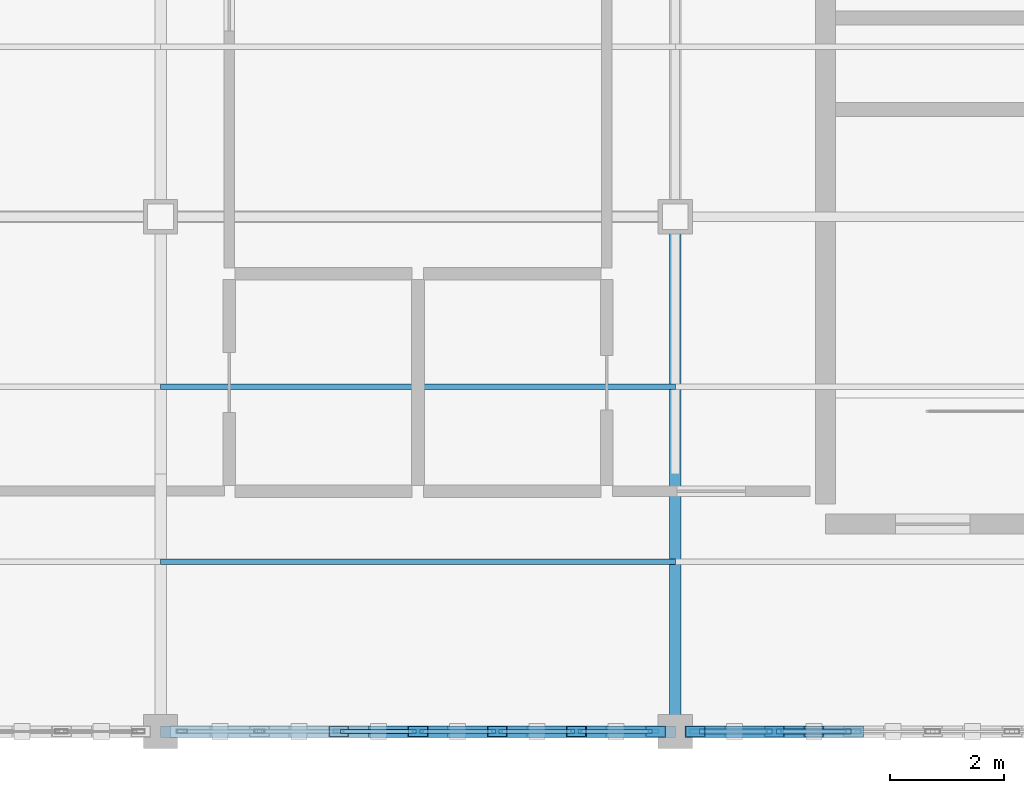
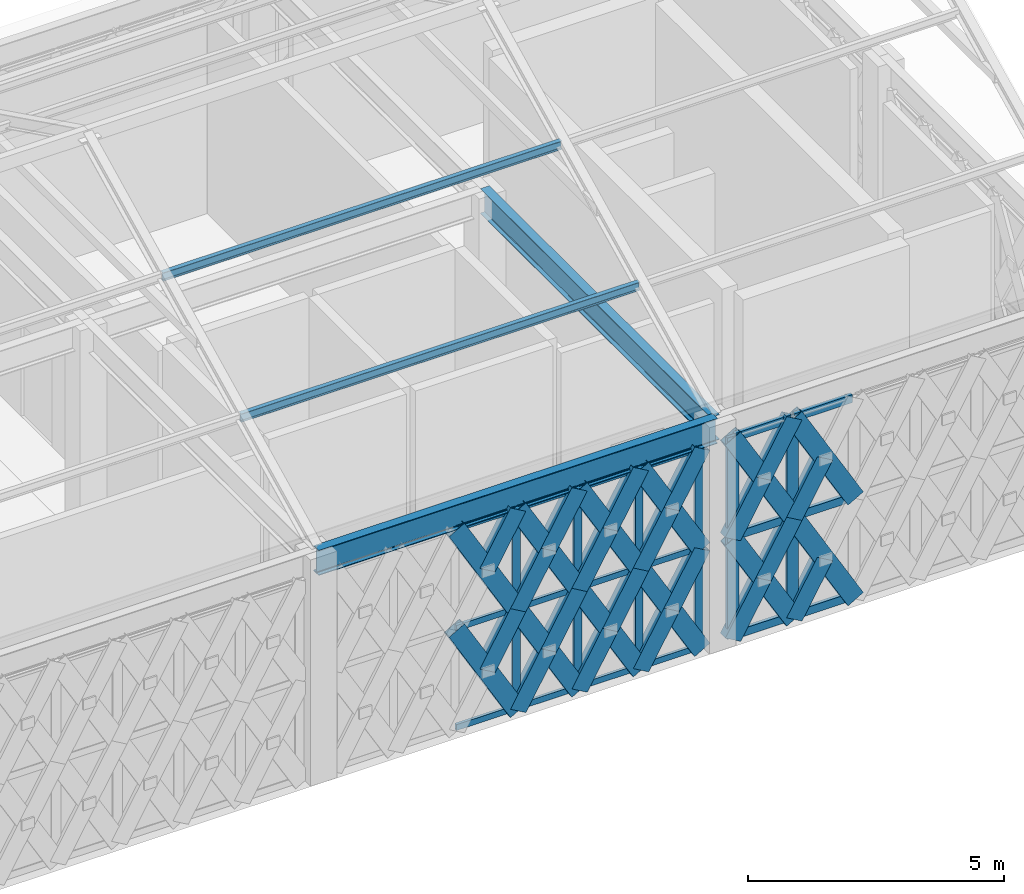
# One storey, part 13 of 32: 58 members, 2 beams, 2 elements without a shape of their own.
"""IFC4 building model written with IfcOpenShell, lengths in metres."""

import ifcopenshell
import ifcopenshell.guid

model = None  # the IFC model being written
_history = None  # IfcOwnerHistory: only IFC2X3 demands one
_inside = {}  # id of a spatial element -> (the spatial element, [elements in it])
_under = {}  # id of a project, library or spatial element -> (it, [spatial elements below it])
_declared = {}  # id of a project -> (the project, [libraries it declares])
_typed = {}  # id of a type object -> (the type object, [elements of that type])
_made_of = {}  # id of a material, layer set ... -> (it, [elements and type objects made of it])


def new_model(schema):
    """Start an empty IFC model of exactly this schema.

    Asked for "IFC4X3", IfcOpenShell would pick the latest addendum, in which some entities
    have other attributes; the version numbers below select the first issue.
    IFC2X3 requires an IfcOwnerHistory on every rooted entity: one is made here for all.
    """
    global model, _history
    if schema == "IFC4X3":
        model = ifcopenshell.file(schema_version=(4, 3, 0, 0))
    else:
        model = ifcopenshell.file(schema=schema)
    _inside.clear()
    _under.clear()
    _declared.clear()
    _typed.clear()
    _made_of.clear()
    _history = None
    if model.schema == "IFC2X3":
        org = make("IfcOrganization", Name="unknown")
        user = make(
            "IfcPersonAndOrganization",
            ThePerson=make("IfcPerson", FamilyName="unknown"),
            TheOrganization=org,
        )
        app = make(
            "IfcApplication",
            ApplicationDeveloper=org,
            Version="unknown",
            ApplicationFullName="unknown",
            ApplicationIdentifier="unknown",
        )
        _history = make(
            "IfcOwnerHistory",
            OwningUser=user,
            OwningApplication=app,
            ChangeAction="ADDED",
            CreationDate=0,
        )
    return model


def make(cls, **values):
    """One entity of the class cls with the attributes given. An attribute that is None is left unset."""
    return model.create_entity(
        cls, **{name: value for name, value in values.items() if value is not None}
    )


def rooted(cls, **values):
    """An entity with a GlobalId (a new one), such as an element, a storey or a relation."""
    return make(cls, GlobalId=ifcopenshell.guid.new(), OwnerHistory=_history, **values)


def si_unit(unit_type, name, prefix=None):
    """IfcSIUnit, for example si_unit("LENGTHUNIT", "METRE", prefix="MILLI")."""
    return make("IfcSIUnit", UnitType=unit_type, Prefix=prefix, Name=name)


def assignment(units):
    """IfcUnitAssignment: the units of a project."""
    return None if units is None else make("IfcUnitAssignment", Units=units)


def point(xyz):
    """IfcCartesianPoint."""
    return None if xyz is None else make("IfcCartesianPoint", Coordinates=xyz)


def direction(xyz):
    """IfcDirection."""
    return None if xyz is None else make("IfcDirection", DirectionRatios=xyz)


def frame(location, z_axis=None, x_axis=None):
    """IfcAxis2Placement3D, a coordinate frame: its origin and axes. An axis left out is left unset."""
    return make(
        "IfcAxis2Placement3D",
        Location=point(location),
        Axis=direction(z_axis),
        RefDirection=direction(x_axis),
    )


def frame_2d(location, x_axis=None):
    """IfcAxis2Placement2D, a coordinate frame in the plane: its origin and x axis."""
    return make(
        "IfcAxis2Placement2D", Location=point(location), RefDirection=direction(x_axis)
    )


def origin():
    """The frame at (0, 0, 0) with its axes left unset."""
    return frame((0.0, 0.0, 0.0))


def origin_2d():
    """The frame at (0, 0) in the plane with its x axis left unset."""
    return frame_2d((0.0, 0.0))


def place(relative_to, where):
    """IfcLocalPlacement: puts the frame where relative to a parent placement (None: the world)."""
    return make(
        "IfcLocalPlacement", PlacementRelTo=relative_to, RelativePlacement=where
    )


def context(
    kind, dimensions, precision=None, world=None, true_north=None, identifier=None
):
    """IfcGeometricRepresentationContext, for example the 3D "Model" context."""
    return make(
        "IfcGeometricRepresentationContext",
        ContextIdentifier=identifier,
        ContextType=kind,
        CoordinateSpaceDimension=dimensions,
        Precision=precision,
        WorldCoordinateSystem=world,
        TrueNorth=true_north,
    )


def subcontext(parent, identifier, kind, view, scale=None):
    """IfcGeometricRepresentationSubContext, for example "Body" below "Model"."""
    return make(
        "IfcGeometricRepresentationSubContext",
        ContextIdentifier=identifier,
        ContextType=kind,
        ParentContext=parent,
        TargetScale=scale,
        TargetView=view,
    )


def project(units=None, contexts=None):
    """IfcProject with its units and contexts."""
    return rooted(
        "IfcProject",
        Name="project",
        RepresentationContexts=contexts,
        UnitsInContext=assignment(units),
    )


def spatial(cls, under=None, at=None, **own):
    """A site, building, storey or space (cls), placed at a placement, below another one or the project."""
    s = rooted(cls, ObjectPlacement=at, **own)
    if under is not None:
        _under.setdefault(under.id(), (under, []))[1].append(s)
    return s


def profile(cls, at=None, kind="AREA", **sizes):
    """A parametric profile (cls). Its sizes go by their IFC names, for example OverallWidth=200.0."""
    return make(cls, ProfileType=kind, Position=at, **sizes)


def hollow_rectangle(**sizes):
    """IfcRectangleHollowProfileDef."""
    return profile("IfcRectangleHollowProfileDef", **sizes)


def i_section(**sizes):
    """IfcIShapeProfileDef."""
    return profile("IfcIShapeProfileDef", **sizes)


def extrude(swept, where, along, depth):
    """IfcExtrudedAreaSolid: the profile swept, set in the frame where, extruded along a direction by depth."""
    return make(
        "IfcExtrudedAreaSolid",
        SweptArea=swept,
        Position=where,
        ExtrudedDirection=direction(along),
        Depth=depth,
    )


def shape(context_of_items, identifier, shape_type, items):
    """IfcShapeRepresentation: the items that make up one representation, for example the "Body"."""
    return make(
        "IfcShapeRepresentation",
        ContextOfItems=context_of_items,
        RepresentationIdentifier=identifier,
        RepresentationType=shape_type,
        Items=items,
    )


def material(Name=None, Category=None):
    """IfcMaterial."""
    return make("IfcMaterial", Name=Name, Category=Category)


def material_profile(
    of_material, cross_section, Name=None, Category=None, Priority=None
):
    """IfcMaterialProfile: a cross section and its material."""
    return make(
        "IfcMaterialProfile",
        Name=Name,
        Material=of_material,
        Profile=cross_section,
        Priority=Priority,
        Category=Category,
    )


def profile_set(profiles, Name=None, composite=None):
    """IfcMaterialProfileSet."""
    return make(
        "IfcMaterialProfileSet",
        Name=Name,
        MaterialProfiles=profiles,
        CompositeProfile=composite,
    )


def made_of(thing, what):
    """Note that an element or type object is made of a material, layer set ...; save() writes the relation."""
    if what is not None:
        _made_of.setdefault(what.id(), (what, []))[1].append(thing)
    return thing


def type_object(cls, material=None, **own):
    """A type object (cls), such as IfcWallType, which elements share."""
    return made_of(rooted(cls, **own), material)


def element(
    cls,
    number,
    at=None,
    inside=None,
    cuts=None,
    type_object=None,
    material=None,
    context=None,
    identifier="Body",
    shape_type=None,
    held_by="IfcProductDefinitionShape",
    body=None,
    shapes=None,
    **own,
):
    """One element of the class cls, such as IfcWall. Its Tag is "e" and its number.

    at: its placement. inside: the storey or other place that contains it. cuts: it is an
    opening in that element (IfcRelVoidsElement). A single representation is given by context,
    identifier, shape_type and body (its items); several are given by shapes. held_by: the class
    of the entity that holds the representations. save() writes the other relations.
    """
    e = rooted(cls, Tag="e%d" % number, ObjectPlacement=at, **own)
    if body is not None:
        shapes = [shape(context, identifier, shape_type, body)]
    if shapes is not None:
        e.Representation = make(held_by, Representations=shapes)
    if inside is not None:
        _inside.setdefault(inside.id(), (inside, []))[1].append(e)
    if cuts is not None:
        rooted(
            "IfcRelVoidsElement", RelatingBuildingElement=cuts, RelatedOpeningElement=e
        )
    if type_object is not None:
        _typed.setdefault(type_object.id(), (type_object, []))[1].append(e)
    return made_of(e, material)


def aggregate(whole, parts):
    """IfcRelAggregates: a whole, such as a stair, and the parts it consists of."""
    return rooted("IfcRelAggregates", RelatingObject=whole, RelatedObjects=parts)


def save(model, path):
    """Write the relations noted so far, then the file.

    IfcRelAggregates (storeys below a building ...), IfcRelContainedInSpatialStructure (elements
    in a storey), IfcRelDefinesByType, IfcRelAssociatesMaterial and IfcRelDeclares: one each for
    every whole, place, type object, material and project.
    """
    for whole, parts in _under.values():
        aggregate(whole, parts)
    for where, things in _inside.values():
        rooted(
            "IfcRelContainedInSpatialStructure",
            RelatedElements=things,
            RelatingStructure=where,
        )
    for kind, things in _typed.values():
        rooted("IfcRelDefinesByType", RelatedObjects=things, RelatingType=kind)
    for what, things in _made_of.values():
        rooted("IfcRelAssociatesMaterial", RelatedObjects=things, RelatingMaterial=what)
    for by, libraries in _declared.values():
        rooted("IfcRelDeclares", RelatingContext=by, RelatedDefinitions=libraries)
    model.write(path)


model = new_model("IFC4")

# Units and contexts
model_context = context("Model", 3, precision=1e-05, world=origin(), true_north=direction((0.0, 1.0)))
body_context = subcontext(model_context, "Body", "Model", "MODEL_VIEW")
ifc_project = project(units=[si_unit("LENGTHUNIT", "METRE"), si_unit("AREAUNIT", "SQUARE_METRE"), si_unit("VOLUMEUNIT", "CUBIC_METRE"), si_unit("PLANEANGLEUNIT", "RADIAN"), si_unit("MASSUNIT", "GRAM", prefix="KILO")], contexts=[model_context])

# Site, building, storey
site_placement = place(None, origin())
site = spatial("IfcSite", under=ifc_project, at=site_placement, CompositionType="ELEMENT")
building_placement = place(site_placement, origin())
building = spatial("IfcBuilding", under=site, at=building_placement, Name="Haizhuo Lancet Aquarium", CompositionType="ELEMENT")
storey_placement = place(building_placement, frame((0.0, 0.0, 27.0)))
storey = spatial("IfcBuildingStorey", under=building, at=storey_placement, Name="L05", CompositionType="ELEMENT", Elevation=27.0)

# Beams
ifc_material_1 = material(Name="Steel S355", Category="steel")
ifc_material_profile_1 = material_profile(ifc_material_1, i_section(OverallWidth=0.199951171875, OverallDepth=0.60009765625, WebThickness=0.010986328125, FlangeThickness=0.01708984375, FilletRadius=0.02197265625, at=origin_2d()), Name="HN 600x200x11x17")
ifc_profile_set_1 = profile_set([ifc_material_profile_1], Name="Steel S355")
beam_type = type_object("IfcBeamType", Name="BM-ST-HN600", PredefinedType="BEAM", material=ifc_profile_set_1)
for number, where, z_axis, x_axis, name in (
    (1, (-54.0, -27.0, 5.10009765625), (1.0, 0.0, 0.0), (0.0, 1.0, 0.0), "L05 V6 primary girder BM-L05-V6-015"),
    (2, (-45.0, -27.0, 5.10009765625), (0.0, 1.0, 0.0), (-1.0, 0.0, 0.0), "L05 V6 primary girder BM-L05-V6-019"),
):
    element("IfcBeam", number, at=place(storey_placement, frame(where, z_axis=z_axis, x_axis=x_axis)), inside=storey, type_object=beam_type, Name=name, PredefinedType="BEAM", context=body_context, shape_type="SweptSolid", body=[
        extrude(i_section(OverallWidth=0.199951171875, OverallDepth=0.60009765625, WebThickness=0.010986328125, FlangeThickness=0.01708984375, FilletRadius=0.02197265625, at=origin_2d()), origin(), (0.0, 0.0, 1.0), 9.0),
    ])

# Curtain wall, members
ifc_material_2 = material(Name="Aluminium 6063-T6", Category="aluminium")
curtain_wall_type = type_object("IfcCurtainWallType", Name="CWD-8310x4800", PredefinedType="NOTDEFINED", material=ifc_material_2)
curtain_wall_1_placement = place(storey_placement, origin())
curtain_wall_1 = element("IfcCurtainWall", 3, at=curtain_wall_1_placement, inside=storey, type_object=curtain_wall_type, Name="L05 curtain wall CW-V6-L05-268", PredefinedType="NOTDEFINED")
ifc_material_profile_2 = material_profile(ifc_material_2, hollow_rectangle(XDim=0.06494140625, YDim=0.179931640625, WallThickness=0.00390625, at=origin_2d()), Name="ALU-M 65x180x4")
ifc_profile_set_2 = profile_set([ifc_material_profile_2], Name="Aluminium 6063-T6")
member_type_1 = type_object("IfcMemberType", Name="CW-MUL-1", PredefinedType="MULLION", material=ifc_profile_set_2)
member_1_placement = place(storey_placement, frame((-45.376953125, -27.0, 0.0), z_axis=(0.0, 0.0, 1.0), x_axis=(0.0, -1.0, 0.0)))
member_1 = element("IfcMember", 4, at=member_1_placement, type_object=member_type_1, Name="CWD-83x48 mullion 1", PredefinedType="MULLION", context=body_context, shape_type="SweptSolid", body=[
    extrude(hollow_rectangle(XDim=0.06494140625, YDim=0.179931640625, WallThickness=0.00390625, at=origin_2d()), origin(), (0.0, 0.0, 1.0), 4.800048828125),
])
member_2_placement = place(storey_placement, frame((-46.72998046875, -27.0, 0.0), z_axis=(0.0, 0.0, 1.0), x_axis=(0.0, -1.0, 0.0)))
member_2 = element("IfcMember", 5, at=member_2_placement, type_object=member_type_1, Name="CWD-83x48 mullion 2", PredefinedType="MULLION", context=body_context, shape_type="SweptSolid", body=[
    extrude(hollow_rectangle(XDim=0.06494140625, YDim=0.179931640625, WallThickness=0.00390625, at=origin_2d()), origin(), (0.0, 0.0, 1.0), 4.800048828125),
])
member_3_placement = place(storey_placement, frame((-48.114990234375, -27.0, 0.0), z_axis=(0.0, 0.0, 1.0), x_axis=(0.0, -1.0, 0.0)))
member_3 = element("IfcMember", 6, at=member_3_placement, type_object=member_type_1, Name="CWD-83x48 mullion 3", PredefinedType="MULLION", context=body_context, shape_type="SweptSolid", body=[
    extrude(hollow_rectangle(XDim=0.06494140625, YDim=0.179931640625, WallThickness=0.00390625, at=origin_2d()), origin(), (0.0, 0.0, 1.0), 4.800048828125),
])
member_4_placement = place(storey_placement, frame((-49.5, -27.0, 0.0), z_axis=(0.0, 0.0, 1.0), x_axis=(0.0, -1.0, 0.0)))
member_4 = element("IfcMember", 7, at=member_4_placement, type_object=member_type_1, Name="CWD-83x48 mullion 4", PredefinedType="MULLION", context=body_context, shape_type="SweptSolid", body=[
    extrude(hollow_rectangle(XDim=0.06494140625, YDim=0.179931640625, WallThickness=0.00390625, at=origin_2d()), origin(), (0.0, 0.0, 1.0), 4.800048828125),
])

curtain_wall_2_placement = place(storey_placement, origin())
curtain_wall_2 = element("IfcCurtainWall", 8, at=curtain_wall_2_placement, inside=storey, type_object=curtain_wall_type, Name="L05 curtain wall CW-V6-L05-267", PredefinedType="NOTDEFINED")
ifc_material_profile_3 = material_profile(ifc_material_2, hollow_rectangle(XDim=0.080078125, YDim=0.260009765625, WallThickness=0.0048828125, at=origin_2d()), Name="ALU-M 80x260x5")
ifc_profile_set_3 = profile_set([ifc_material_profile_3], Name="Aluminium 6063-T6")
member_type_2 = type_object("IfcMemberType", Name="CW-MUL-3", PredefinedType="MULLION", material=ifc_profile_set_3)
member_5_placement = place(storey_placement, frame((-43.27001953125, -27.0, 0.0), z_axis=(0.0, 0.0, 1.0), x_axis=(0.0, -1.0, 0.0)))
member_5 = element("IfcMember", 9, at=member_5_placement, type_object=member_type_2, Name="CWD-83x48 mullion 6", PredefinedType="MULLION", context=body_context, shape_type="SweptSolid", body=[
    extrude(hollow_rectangle(XDim=0.080078125, YDim=0.260009765625, WallThickness=0.0048828125, at=origin_2d()), origin(), (0.0, 0.0, 1.0), 4.800048828125),
])
member_6_placement = place(storey_placement, frame((-44.614990234375, -27.0, 0.0), z_axis=(0.0, 0.0, 1.0), x_axis=(0.0, -1.0, 0.0)))
member_6 = element("IfcMember", 10, at=member_6_placement, type_object=member_type_2, Name="CWD-83x48 mullion 7", PredefinedType="MULLION", context=body_context, shape_type="SweptSolid", body=[
    extrude(hollow_rectangle(XDim=0.080078125, YDim=0.260009765625, WallThickness=0.0048828125, at=origin_2d()), origin(), (0.0, 0.0, 1.0), 4.800048828125),
])

# Member
ifc_material_profile_4 = material_profile(ifc_material_2, hollow_rectangle(XDim=0.06494140625, YDim=0.139892578125, WallThickness=0.00390625, at=origin_2d()), Name="ALU-T 65x140x4")
ifc_profile_set_4 = profile_set([ifc_material_profile_4], Name="Aluminium 6063-T6")
member_type_3 = type_object("IfcMemberType", Name="CW-TRN-1", PredefinedType="NOTDEFINED", material=ifc_profile_set_4)
member_7_placement = place(storey_placement, frame((-45.409912109375, -27.0, 0.031982421875), z_axis=(-1.0, 0.0, 0.0), x_axis=(0.0, -1.0, 0.0)))
member_7 = element("IfcMember", 11, at=member_7_placement, type_object=member_type_3, Name="CWD-83x48 transom 1.1", ObjectType="TRANSOM", PredefinedType="USERDEFINED", context=body_context, shape_type="SweptSolid", body=[
    extrude(hollow_rectangle(XDim=0.06494140625, YDim=0.139892578125, WallThickness=0.00390625, at=origin_2d()), origin(), (0.0, 0.0, 1.0), 1.287109375),
])

member_8_placement = place(storey_placement, frame((-45.409912109375, -27.0, 2.39990234375), z_axis=(-1.0, 0.0, 0.0), x_axis=(0.0, -1.0, 0.0)))
member_8 = element("IfcMember", 12, at=member_8_placement, type_object=member_type_3, Name="CWD-83x48 transom 1.2", ObjectType="TRANSOM", PredefinedType="USERDEFINED", context=body_context, shape_type="SweptSolid", body=[
    extrude(hollow_rectangle(XDim=0.06494140625, YDim=0.139892578125, WallThickness=0.00390625, at=origin_2d()), origin(), (0.0, 0.0, 1.0), 1.287109375),
])

member_9_placement = place(storey_placement, frame((-45.409912109375, -27.0, 4.76806640625), z_axis=(-1.0, 0.0, 0.0), x_axis=(0.0, -1.0, 0.0)))
member_9 = element("IfcMember", 13, at=member_9_placement, type_object=member_type_3, Name="CWD-83x48 transom 1.3", ObjectType="TRANSOM", PredefinedType="USERDEFINED", context=body_context, shape_type="SweptSolid", body=[
    extrude(hollow_rectangle(XDim=0.06494140625, YDim=0.139892578125, WallThickness=0.00390625, at=origin_2d()), origin(), (0.0, 0.0, 1.0), 1.287109375),
])

member_10_placement = place(storey_placement, frame((-46.762939453125, -27.0, 0.031982421875), z_axis=(-1.0, 0.0, 0.0), x_axis=(0.0, -1.0, 0.0)))
member_10 = element("IfcMember", 14, at=member_10_placement, type_object=member_type_3, Name="CWD-83x48 transom 2.1", ObjectType="TRANSOM", PredefinedType="USERDEFINED", context=body_context, shape_type="SweptSolid", body=[
    extrude(hollow_rectangle(XDim=0.06494140625, YDim=0.139892578125, WallThickness=0.00390625, at=origin_2d()), origin(), (0.0, 0.0, 1.0), 1.319091796875),
])

member_11_placement = place(storey_placement, frame((-46.762939453125, -27.0, 2.39990234375), z_axis=(-1.0, 0.0, 0.0), x_axis=(0.0, -1.0, 0.0)))
member_11 = element("IfcMember", 15, at=member_11_placement, type_object=member_type_3, Name="CWD-83x48 transom 2.2", ObjectType="TRANSOM", PredefinedType="USERDEFINED", context=body_context, shape_type="SweptSolid", body=[
    extrude(hollow_rectangle(XDim=0.06494140625, YDim=0.139892578125, WallThickness=0.00390625, at=origin_2d()), origin(), (0.0, 0.0, 1.0), 1.319091796875),
])

member_12_placement = place(storey_placement, frame((-46.762939453125, -27.0, 4.76806640625), z_axis=(-1.0, 0.0, 0.0), x_axis=(0.0, -1.0, 0.0)))
member_12 = element("IfcMember", 16, at=member_12_placement, type_object=member_type_3, Name="CWD-83x48 transom 2.3", ObjectType="TRANSOM", PredefinedType="USERDEFINED", context=body_context, shape_type="SweptSolid", body=[
    extrude(hollow_rectangle(XDim=0.06494140625, YDim=0.139892578125, WallThickness=0.00390625, at=origin_2d()), origin(), (0.0, 0.0, 1.0), 1.319091796875),
])

member_13_placement = place(storey_placement, frame((-48.14794921875, -27.0, 0.031982421875), z_axis=(-1.0, 0.0, 0.0), x_axis=(0.0, -1.0, 0.0)))
member_13 = element("IfcMember", 17, at=member_13_placement, type_object=member_type_3, Name="CWD-83x48 transom 3.1", ObjectType="TRANSOM", PredefinedType="USERDEFINED", context=body_context, shape_type="SweptSolid", body=[
    extrude(hollow_rectangle(XDim=0.06494140625, YDim=0.139892578125, WallThickness=0.00390625, at=origin_2d()), origin(), (0.0, 0.0, 1.0), 1.320068359375),
])

member_14_placement = place(storey_placement, frame((-48.14794921875, -27.0, 2.39990234375), z_axis=(-1.0, 0.0, 0.0), x_axis=(0.0, -1.0, 0.0)))
member_14 = element("IfcMember", 18, at=member_14_placement, type_object=member_type_3, Name="CWD-83x48 transom 3.2", ObjectType="TRANSOM", PredefinedType="USERDEFINED", context=body_context, shape_type="SweptSolid", body=[
    extrude(hollow_rectangle(XDim=0.06494140625, YDim=0.139892578125, WallThickness=0.00390625, at=origin_2d()), origin(), (0.0, 0.0, 1.0), 1.320068359375),
])

member_15_placement = place(storey_placement, frame((-48.14794921875, -27.0, 4.76806640625), z_axis=(-1.0, 0.0, 0.0), x_axis=(0.0, -1.0, 0.0)))
member_15 = element("IfcMember", 19, at=member_15_placement, type_object=member_type_3, Name="CWD-83x48 transom 3.3", ObjectType="TRANSOM", PredefinedType="USERDEFINED", context=body_context, shape_type="SweptSolid", body=[
    extrude(hollow_rectangle(XDim=0.06494140625, YDim=0.139892578125, WallThickness=0.00390625, at=origin_2d()), origin(), (0.0, 0.0, 1.0), 1.320068359375),
])

member_16_placement = place(storey_placement, frame((-49.531982421875, -27.0, 0.031982421875), z_axis=(-1.0, 0.0, 0.0), x_axis=(0.0, -1.0, 0.0)))
member_16 = element("IfcMember", 20, at=member_16_placement, type_object=member_type_3, Name="CWD-83x48 transom 4.1", ObjectType="TRANSOM", PredefinedType="USERDEFINED", context=body_context, shape_type="SweptSolid", body=[
    extrude(hollow_rectangle(XDim=0.06494140625, YDim=0.139892578125, WallThickness=0.00390625, at=origin_2d()), origin(), (0.0, 0.0, 1.0), 1.320068359375),
])

member_17_placement = place(storey_placement, frame((-49.531982421875, -27.0, 2.39990234375), z_axis=(-1.0, 0.0, 0.0), x_axis=(0.0, -1.0, 0.0)))
member_17 = element("IfcMember", 21, at=member_17_placement, type_object=member_type_3, Name="CWD-83x48 transom 4.2", ObjectType="TRANSOM", PredefinedType="USERDEFINED", context=body_context, shape_type="SweptSolid", body=[
    extrude(hollow_rectangle(XDim=0.06494140625, YDim=0.139892578125, WallThickness=0.00390625, at=origin_2d()), origin(), (0.0, 0.0, 1.0), 1.320068359375),
])

member_18_placement = place(storey_placement, frame((-49.531982421875, -27.0, 4.76806640625), z_axis=(-1.0, 0.0, 0.0), x_axis=(0.0, -1.0, 0.0)))
member_18 = element("IfcMember", 22, at=member_18_placement, type_object=member_type_3, Name="CWD-83x48 transom 4.3", ObjectType="TRANSOM", PredefinedType="USERDEFINED", context=body_context, shape_type="SweptSolid", body=[
    extrude(hollow_rectangle(XDim=0.06494140625, YDim=0.139892578125, WallThickness=0.00390625, at=origin_2d()), origin(), (0.0, 0.0, 1.0), 1.320068359375),
])

aggregate(curtain_wall_1, [member_1, member_2, member_3, member_4, member_7, member_8, member_9, member_10, member_11, member_12, member_13, member_14, member_15, member_16, member_17, member_18])

ifc_material_profile_5 = material_profile(ifc_material_2, hollow_rectangle(XDim=0.080078125, YDim=0.18994140625, WallThickness=0.0048828125, at=origin_2d()), Name="ALU-T 80x190x5")
ifc_profile_set_5 = profile_set([ifc_material_profile_5], Name="Aluminium 6063-T6")
member_type_4 = type_object("IfcMemberType", Name="CW-TRN-3", PredefinedType="NOTDEFINED", material=ifc_profile_set_5)
member_19_placement = place(storey_placement, frame((-41.925048828125, -27.0, 0.0400390625), z_axis=(-1.0, 0.0, 0.0), x_axis=(0.0, -1.0, 0.0)))
member_19 = element("IfcMember", 23, at=member_19_placement, type_object=member_type_4, Name="CWD-83x48 transom 5.1", ObjectType="TRANSOM", PredefinedType="USERDEFINED", context=body_context, shape_type="SweptSolid", body=[
    extrude(hollow_rectangle(XDim=0.080078125, YDim=0.18994140625, WallThickness=0.0048828125, at=origin_2d()), origin(), (0.0, 0.0, 1.0), 1.304931640625),
])

member_20_placement = place(storey_placement, frame((-41.925048828125, -27.0, 2.39990234375), z_axis=(-1.0, 0.0, 0.0), x_axis=(0.0, -1.0, 0.0)))
member_20 = element("IfcMember", 24, at=member_20_placement, type_object=member_type_4, Name="CWD-83x48 transom 5.2", ObjectType="TRANSOM", PredefinedType="USERDEFINED", context=body_context, shape_type="SweptSolid", body=[
    extrude(hollow_rectangle(XDim=0.080078125, YDim=0.18994140625, WallThickness=0.0048828125, at=origin_2d()), origin(), (0.0, 0.0, 1.0), 1.304931640625),
])

member_21_placement = place(storey_placement, frame((-41.925048828125, -27.0, 4.760009765625), z_axis=(-1.0, 0.0, 0.0), x_axis=(0.0, -1.0, 0.0)))
member_21 = element("IfcMember", 25, at=member_21_placement, type_object=member_type_4, Name="CWD-83x48 transom 5.3", ObjectType="TRANSOM", PredefinedType="USERDEFINED", context=body_context, shape_type="SweptSolid", body=[
    extrude(hollow_rectangle(XDim=0.080078125, YDim=0.18994140625, WallThickness=0.0048828125, at=origin_2d()), origin(), (0.0, 0.0, 1.0), 1.304931640625),
])

member_22_placement = place(storey_placement, frame((-43.31005859375, -27.0, 0.0400390625), z_axis=(-1.0, 0.0, 0.0), x_axis=(0.0, -1.0, 0.0)))
member_22 = element("IfcMember", 26, at=member_22_placement, type_object=member_type_4, Name="CWD-83x48 transom 6.1", ObjectType="TRANSOM", PredefinedType="USERDEFINED", context=body_context, shape_type="SweptSolid", body=[
    extrude(hollow_rectangle(XDim=0.080078125, YDim=0.18994140625, WallThickness=0.0048828125, at=origin_2d()), origin(), (0.0, 0.0, 1.0), 1.264892578125),
])

member_23_placement = place(storey_placement, frame((-43.31005859375, -27.0, 2.39990234375), z_axis=(-1.0, 0.0, 0.0), x_axis=(0.0, -1.0, 0.0)))
member_23 = element("IfcMember", 27, at=member_23_placement, type_object=member_type_4, Name="CWD-83x48 transom 6.2", ObjectType="TRANSOM", PredefinedType="USERDEFINED", context=body_context, shape_type="SweptSolid", body=[
    extrude(hollow_rectangle(XDim=0.080078125, YDim=0.18994140625, WallThickness=0.0048828125, at=origin_2d()), origin(), (0.0, 0.0, 1.0), 1.264892578125),
])

member_24_placement = place(storey_placement, frame((-43.31005859375, -27.0, 4.760009765625), z_axis=(-1.0, 0.0, 0.0), x_axis=(0.0, -1.0, 0.0)))
member_24 = element("IfcMember", 28, at=member_24_placement, type_object=member_type_4, Name="CWD-83x48 transom 6.3", ObjectType="TRANSOM", PredefinedType="USERDEFINED", context=body_context, shape_type="SweptSolid", body=[
    extrude(hollow_rectangle(XDim=0.080078125, YDim=0.18994140625, WallThickness=0.0048828125, at=origin_2d()), origin(), (0.0, 0.0, 1.0), 1.264892578125),
])

aggregate(curtain_wall_2, [member_5, member_6, member_19, member_20, member_21, member_22, member_23, member_24])

# Members
ifc_material_profile_6 = material_profile(ifc_material_1, hollow_rectangle(XDim=0.199951171875, YDim=0.39990234375, WallThickness=0.011962890625, at=origin_2d()), Name="RHS 200x400x12")
ifc_profile_set_6 = profile_set([ifc_material_profile_6], Name="Steel S355")
member_type_5 = type_object("IfcMemberType", Name="MEM-LB-RHS200x400", PredefinedType="BRACE", material=ifc_profile_set_6)
member_25_placement = place(storey_placement, frame((-41.885009765625, -27.0, 0.0), z_axis=(-0.499844491261, 0.0, 0.866115168182), x_axis=(0.0, -1.0, 0.0)))
element("IfcMember", 29, at=member_25_placement, inside=storey, type_object=member_type_5, Name="Gothic lancet continuous diagonal brace CW-V6-L05-267 9A", PredefinedType="BRACE", context=body_context, shape_type="SweptSolid", body=[
    extrude(hollow_rectangle(XDim=0.199951171875, YDim=0.39990234375, WallThickness=0.011962890625, at=origin_2d()), origin(), (0.0, 0.0, 1.0), 2.77099609375),
])
member_26_placement = place(storey_placement, frame((-43.27001953125, -27.0, 0.0), z_axis=(0.499646164767, 0.0, 0.866229594296), x_axis=(0.0, 1.0, 0.0)))
element("IfcMember", 30, at=member_26_placement, inside=storey, type_object=member_type_5, Name="Gothic lancet split diagonal brace CW-V6-L05-267 9B1", PredefinedType="BRACE", context=body_context, shape_type="SweptSolid", body=[
    extrude(hollow_rectangle(XDim=0.199951171875, YDim=0.39990234375, WallThickness=0.011962890625, at=origin_2d()), origin(), (0.0, 0.0, 1.0), 1.38525390625),
])
member_27_placement = place(storey_placement, frame((-41.885009765625, -27.0, 2.39990234375), z_axis=(-0.499806349121, 0.0, 0.866137179307), x_axis=(0.0, -1.0, 0.0)))
element("IfcMember", 31, at=member_27_placement, inside=storey, type_object=member_type_5, Name="Gothic lancet continuous diagonal brace CW-V6-L05-267 10A", PredefinedType="BRACE", context=body_context, shape_type="SweptSolid", body=[
    extrude(hollow_rectangle(XDim=0.199951171875, YDim=0.39990234375, WallThickness=0.011962890625, at=origin_2d()), origin(), (0.0, 0.0, 1.0), 2.77099609375),
])
member_28_placement = place(storey_placement, frame((-43.27001953125, -27.0, 2.39990234375), z_axis=(0.49956989546, 0.0, 0.866273582392), x_axis=(0.0, 1.0, 0.0)))
element("IfcMember", 32, at=member_28_placement, inside=storey, type_object=member_type_5, Name="Gothic lancet split diagonal brace CW-V6-L05-267 10B1", PredefinedType="BRACE", context=body_context, shape_type="SweptSolid", body=[
    extrude(hollow_rectangle(XDim=0.199951171875, YDim=0.39990234375, WallThickness=0.011962890625, at=origin_2d()), origin(), (0.0, 0.0, 1.0), 1.385498046875),
])
member_29_placement = place(storey_placement, frame((-43.27001953125, -27.0, 0.0), z_axis=(-0.499844491261, 0.0, 0.866115168182), x_axis=(0.0, -1.0, 0.0)))
element("IfcMember", 33, at=member_29_placement, inside=storey, type_object=member_type_5, Name="Gothic lancet continuous diagonal brace CW-V6-L05-267 11A", PredefinedType="BRACE", context=body_context, shape_type="SweptSolid", body=[
    extrude(hollow_rectangle(XDim=0.199951171875, YDim=0.39990234375, WallThickness=0.011962890625, at=origin_2d()), origin(), (0.0, 0.0, 1.0), 2.77099609375),
])
member_30_placement = place(storey_placement, frame((-44.655029296875, -27.0, 0.0), z_axis=(0.499646164767, 0.0, 0.866229594296), x_axis=(0.0, 1.0, 0.0)))
element("IfcMember", 34, at=member_30_placement, inside=storey, type_object=member_type_5, Name="Gothic lancet split diagonal brace CW-V6-L05-267 11B1", PredefinedType="BRACE", context=body_context, shape_type="SweptSolid", body=[
    extrude(hollow_rectangle(XDim=0.199951171875, YDim=0.39990234375, WallThickness=0.011962890625, at=origin_2d()), origin(), (0.0, 0.0, 1.0), 1.38525390625),
])
member_31_placement = place(storey_placement, frame((-43.962890625, -27.0, 1.199951171875), z_axis=(0.500042739161, 0.0, 0.866000726912), x_axis=(0.0, 1.0, 0.0)))
element("IfcMember", 35, at=member_31_placement, inside=storey, type_object=member_type_5, Name="Gothic lancet split diagonal brace CW-V6-L05-267 11B2", PredefinedType="BRACE", context=body_context, shape_type="SweptSolid", body=[
    extrude(hollow_rectangle(XDim=0.199951171875, YDim=0.39990234375, WallThickness=0.011962890625, at=origin_2d()), origin(), (0.0, 0.0, 1.0), 1.3857421875),
])
member_32_placement = place(storey_placement, frame((-43.27001953125, -27.0, 2.39990234375), z_axis=(-0.499806349121, 0.0, 0.866137179307), x_axis=(0.0, -1.0, 0.0)))
element("IfcMember", 36, at=member_32_placement, inside=storey, type_object=member_type_5, Name="Gothic lancet continuous diagonal brace CW-V6-L05-267 12A", PredefinedType="BRACE", context=body_context, shape_type="SweptSolid", body=[
    extrude(hollow_rectangle(XDim=0.199951171875, YDim=0.39990234375, WallThickness=0.011962890625, at=origin_2d()), origin(), (0.0, 0.0, 1.0), 2.77099609375),
])
member_33_placement = place(storey_placement, frame((-44.655029296875, -27.0, 2.39990234375), z_axis=(0.49956989546, 0.0, 0.866273582392), x_axis=(0.0, 1.0, 0.0)))
element("IfcMember", 37, at=member_33_placement, inside=storey, type_object=member_type_5, Name="Gothic lancet split diagonal brace CW-V6-L05-267 12B1", PredefinedType="BRACE", context=body_context, shape_type="SweptSolid", body=[
    extrude(hollow_rectangle(XDim=0.199951171875, YDim=0.39990234375, WallThickness=0.011962890625, at=origin_2d()), origin(), (0.0, 0.0, 1.0), 1.385498046875),
])
member_34_placement = place(storey_placement, frame((-43.962890625, -27.0, 3.60009765625), z_axis=(0.500042739161, 0.0, 0.866000726912), x_axis=(0.0, 1.0, 0.0)))
element("IfcMember", 38, at=member_34_placement, inside=storey, type_object=member_type_5, Name="Gothic lancet split diagonal brace CW-V6-L05-267 12B2", PredefinedType="BRACE", context=body_context, shape_type="SweptSolid", body=[
    extrude(hollow_rectangle(XDim=0.199951171875, YDim=0.39990234375, WallThickness=0.011962890625, at=origin_2d()), origin(), (0.0, 0.0, 1.0), 1.3857421875),
])
member_35_placement = place(storey_placement, frame((-45.344970703125, -27.0, 0.0), z_axis=(-0.499844491261, 0.0, 0.866115168182), x_axis=(0.0, -1.0, 0.0)))
element("IfcMember", 39, at=member_35_placement, inside=storey, type_object=member_type_5, Name="Gothic lancet continuous diagonal brace CW-V6-L05-268 1A", PredefinedType="BRACE", context=body_context, shape_type="SweptSolid", body=[
    extrude(hollow_rectangle(XDim=0.199951171875, YDim=0.39990234375, WallThickness=0.011962890625, at=origin_2d()), origin(), (0.0, 0.0, 1.0), 2.77099609375),
])
member_36_placement = place(storey_placement, frame((-46.72998046875, -27.0, 0.0), z_axis=(0.500042739161, 0.0, 0.866000726912), x_axis=(0.0, 1.0, 0.0)))
element("IfcMember", 40, at=member_36_placement, inside=storey, type_object=member_type_5, Name="Gothic lancet split diagonal brace CW-V6-L05-268 1B1", PredefinedType="BRACE", context=body_context, shape_type="SweptSolid", body=[
    extrude(hollow_rectangle(XDim=0.199951171875, YDim=0.39990234375, WallThickness=0.011962890625, at=origin_2d()), origin(), (0.0, 0.0, 1.0), 1.3857421875),
])
member_37_placement = place(storey_placement, frame((-46.037109375, -27.0, 1.199951171875), z_axis=(0.499646164767, 0.0, 0.866229594296), x_axis=(0.0, 1.0, 0.0)))
element("IfcMember", 41, at=member_37_placement, inside=storey, type_object=member_type_5, Name="Gothic lancet split diagonal brace CW-V6-L05-268 1B2", PredefinedType="BRACE", context=body_context, shape_type="SweptSolid", body=[
    extrude(hollow_rectangle(XDim=0.199951171875, YDim=0.39990234375, WallThickness=0.011962890625, at=origin_2d()), origin(), (0.0, 0.0, 1.0), 1.38525390625),
])
member_38_placement = place(storey_placement, frame((-45.344970703125, -27.0, 2.39990234375), z_axis=(-0.499806349121, 0.0, 0.866137179307), x_axis=(0.0, -1.0, 0.0)))
element("IfcMember", 42, at=member_38_placement, inside=storey, type_object=member_type_5, Name="Gothic lancet continuous diagonal brace CW-V6-L05-268 2A", PredefinedType="BRACE", context=body_context, shape_type="SweptSolid", body=[
    extrude(hollow_rectangle(XDim=0.199951171875, YDim=0.39990234375, WallThickness=0.011962890625, at=origin_2d()), origin(), (0.0, 0.0, 1.0), 2.77099609375),
])
member_39_placement = place(storey_placement, frame((-46.72998046875, -27.0, 2.39990234375), z_axis=(0.499966449638, 0.0, 0.866044773228), x_axis=(0.0, 1.0, 0.0)))
element("IfcMember", 43, at=member_39_placement, inside=storey, type_object=member_type_5, Name="Gothic lancet split diagonal brace CW-V6-L05-268 2B1", PredefinedType="BRACE", context=body_context, shape_type="SweptSolid", body=[
    extrude(hollow_rectangle(XDim=0.199951171875, YDim=0.39990234375, WallThickness=0.011962890625, at=origin_2d()), origin(), (0.0, 0.0, 1.0), 1.3857421875),
])
member_40_placement = place(storey_placement, frame((-46.037109375, -27.0, 3.60009765625), z_axis=(0.499646164767, 0.0, 0.866229594296), x_axis=(0.0, 1.0, 0.0)))
element("IfcMember", 44, at=member_40_placement, inside=storey, type_object=member_type_5, Name="Gothic lancet split diagonal brace CW-V6-L05-268 2B2", PredefinedType="BRACE", context=body_context, shape_type="SweptSolid", body=[
    extrude(hollow_rectangle(XDim=0.199951171875, YDim=0.39990234375, WallThickness=0.011962890625, at=origin_2d()), origin(), (0.0, 0.0, 1.0), 1.38525390625),
])
member_41_placement = place(storey_placement, frame((-46.72998046875, -27.0, 0.0), z_axis=(-0.499844491261, 0.0, 0.866115168182), x_axis=(0.0, -1.0, 0.0)))
element("IfcMember", 45, at=member_41_placement, inside=storey, type_object=member_type_5, Name="Gothic lancet continuous diagonal brace CW-V6-L05-268 3A", PredefinedType="BRACE", context=body_context, shape_type="SweptSolid", body=[
    extrude(hollow_rectangle(XDim=0.199951171875, YDim=0.39990234375, WallThickness=0.011962890625, at=origin_2d()), origin(), (0.0, 0.0, 1.0), 2.77099609375),
])
member_42_placement = place(storey_placement, frame((-48.114990234375, -27.0, 0.0), z_axis=(0.500042739161, 0.0, 0.866000726912), x_axis=(0.0, 1.0, 0.0)))
element("IfcMember", 46, at=member_42_placement, inside=storey, type_object=member_type_5, Name="Gothic lancet split diagonal brace CW-V6-L05-268 3B1", PredefinedType="BRACE", context=body_context, shape_type="SweptSolid", body=[
    extrude(hollow_rectangle(XDim=0.199951171875, YDim=0.39990234375, WallThickness=0.011962890625, at=origin_2d()), origin(), (0.0, 0.0, 1.0), 1.3857421875),
])
member_43_placement = place(storey_placement, frame((-47.422119140625, -27.0, 1.199951171875), z_axis=(0.499646164767, 0.0, 0.866229594296), x_axis=(0.0, 1.0, 0.0)))
element("IfcMember", 47, at=member_43_placement, inside=storey, type_object=member_type_5, Name="Gothic lancet split diagonal brace CW-V6-L05-268 3B2", PredefinedType="BRACE", context=body_context, shape_type="SweptSolid", body=[
    extrude(hollow_rectangle(XDim=0.199951171875, YDim=0.39990234375, WallThickness=0.011962890625, at=origin_2d()), origin(), (0.0, 0.0, 1.0), 1.38525390625),
])
member_44_placement = place(storey_placement, frame((-46.72998046875, -27.0, 2.39990234375), z_axis=(-0.499806349121, 0.0, 0.866137179307), x_axis=(0.0, -1.0, 0.0)))
element("IfcMember", 48, at=member_44_placement, inside=storey, type_object=member_type_5, Name="Gothic lancet continuous diagonal brace CW-V6-L05-268 4A", PredefinedType="BRACE", context=body_context, shape_type="SweptSolid", body=[
    extrude(hollow_rectangle(XDim=0.199951171875, YDim=0.39990234375, WallThickness=0.011962890625, at=origin_2d()), origin(), (0.0, 0.0, 1.0), 2.77099609375),
])
member_45_placement = place(storey_placement, frame((-48.114990234375, -27.0, 2.39990234375), z_axis=(0.499966449638, 0.0, 0.866044773228), x_axis=(0.0, 1.0, 0.0)))
element("IfcMember", 49, at=member_45_placement, inside=storey, type_object=member_type_5, Name="Gothic lancet split diagonal brace CW-V6-L05-268 4B1", PredefinedType="BRACE", context=body_context, shape_type="SweptSolid", body=[
    extrude(hollow_rectangle(XDim=0.199951171875, YDim=0.39990234375, WallThickness=0.011962890625, at=origin_2d()), origin(), (0.0, 0.0, 1.0), 1.3857421875),
])
member_46_placement = place(storey_placement, frame((-47.422119140625, -27.0, 3.60009765625), z_axis=(0.499646164767, 0.0, 0.866229594296), x_axis=(0.0, 1.0, 0.0)))
element("IfcMember", 50, at=member_46_placement, inside=storey, type_object=member_type_5, Name="Gothic lancet split diagonal brace CW-V6-L05-268 4B2", PredefinedType="BRACE", context=body_context, shape_type="SweptSolid", body=[
    extrude(hollow_rectangle(XDim=0.199951171875, YDim=0.39990234375, WallThickness=0.011962890625, at=origin_2d()), origin(), (0.0, 0.0, 1.0), 1.38525390625),
])
member_47_placement = place(storey_placement, frame((-48.114990234375, -27.0, 0.0), z_axis=(-0.499844491261, 0.0, 0.866115168182), x_axis=(0.0, -1.0, 0.0)))
element("IfcMember", 51, at=member_47_placement, inside=storey, type_object=member_type_5, Name="Gothic lancet continuous diagonal brace CW-V6-L05-268 5A", PredefinedType="BRACE", context=body_context, shape_type="SweptSolid", body=[
    extrude(hollow_rectangle(XDim=0.199951171875, YDim=0.39990234375, WallThickness=0.011962890625, at=origin_2d()), origin(), (0.0, 0.0, 1.0), 2.77099609375),
])
member_48_placement = place(storey_placement, frame((-49.5, -27.0, 0.0), z_axis=(0.499513903435, 0.0, 0.86630586993), x_axis=(0.0, 1.0, 0.0)))
element("IfcMember", 52, at=member_48_placement, inside=storey, type_object=member_type_5, Name="Gothic lancet split diagonal brace CW-V6-L05-268 5B1", PredefinedType="BRACE", context=body_context, shape_type="SweptSolid", body=[
    extrude(hollow_rectangle(XDim=0.199951171875, YDim=0.39990234375, WallThickness=0.011962890625, at=origin_2d()), origin(), (0.0, 0.0, 1.0), 1.38525390625),
])
member_49_placement = place(storey_placement, frame((-48.80810546875, -27.0, 1.199951171875), z_axis=(0.500174860769, 0.0, 0.865924424332), x_axis=(0.0, 1.0, 0.0)))
element("IfcMember", 53, at=member_49_placement, inside=storey, type_object=member_type_5, Name="Gothic lancet split diagonal brace CW-V6-L05-268 5B2", PredefinedType="BRACE", context=body_context, shape_type="SweptSolid", body=[
    extrude(hollow_rectangle(XDim=0.199951171875, YDim=0.39990234375, WallThickness=0.011962890625, at=origin_2d()), origin(), (0.0, 0.0, 1.0), 1.3857421875),
])
member_50_placement = place(storey_placement, frame((-48.114990234375, -27.0, 2.39990234375), z_axis=(-0.499806349121, 0.0, 0.866137179307), x_axis=(0.0, -1.0, 0.0)))
element("IfcMember", 54, at=member_50_placement, inside=storey, type_object=member_type_5, Name="Gothic lancet continuous diagonal brace CW-V6-L05-268 6A", PredefinedType="BRACE", context=body_context, shape_type="SweptSolid", body=[
    extrude(hollow_rectangle(XDim=0.199951171875, YDim=0.39990234375, WallThickness=0.011962890625, at=origin_2d()), origin(), (0.0, 0.0, 1.0), 2.77099609375),
])
member_51_placement = place(storey_placement, frame((-49.5, -27.0, 2.39990234375), z_axis=(0.499437640892, 0.0, 0.866349838611), x_axis=(0.0, 1.0, 0.0)))
element("IfcMember", 55, at=member_51_placement, inside=storey, type_object=member_type_5, Name="Gothic lancet split diagonal brace CW-V6-L05-268 6B1", PredefinedType="BRACE", context=body_context, shape_type="SweptSolid", body=[
    extrude(hollow_rectangle(XDim=0.199951171875, YDim=0.39990234375, WallThickness=0.011962890625, at=origin_2d()), origin(), (0.0, 0.0, 1.0), 1.38525390625),
])
member_52_placement = place(storey_placement, frame((-48.80810546875, -27.0, 3.60009765625), z_axis=(0.500174860769, 0.0, 0.865924424332), x_axis=(0.0, 1.0, 0.0)))
element("IfcMember", 56, at=member_52_placement, inside=storey, type_object=member_type_5, Name="Gothic lancet split diagonal brace CW-V6-L05-268 6B2", PredefinedType="BRACE", context=body_context, shape_type="SweptSolid", body=[
    extrude(hollow_rectangle(XDim=0.199951171875, YDim=0.39990234375, WallThickness=0.011962890625, at=origin_2d()), origin(), (0.0, 0.0, 1.0), 1.3857421875),
])
member_53_placement = place(storey_placement, frame((-49.5, -27.0, 0.0), z_axis=(-0.499844491261, 0.0, 0.866115168182), x_axis=(0.0, -1.0, 0.0)))
element("IfcMember", 57, at=member_53_placement, inside=storey, type_object=member_type_5, Name="Gothic lancet continuous diagonal brace CW-V6-L05-268 7A", PredefinedType="BRACE", context=body_context, shape_type="SweptSolid", body=[
    extrude(hollow_rectangle(XDim=0.199951171875, YDim=0.39990234375, WallThickness=0.011962890625, at=origin_2d()), origin(), (0.0, 0.0, 1.0), 2.77099609375),
])
member_54_placement = place(storey_placement, frame((-50.19189453125, -27.0, 1.199951171875), z_axis=(0.499513903435, 0.0, 0.86630586993), x_axis=(0.0, 1.0, 0.0)))
element("IfcMember", 58, at=member_54_placement, inside=storey, type_object=member_type_5, Name="Gothic lancet split diagonal brace CW-V6-L05-268 7B2", PredefinedType="BRACE", context=body_context, shape_type="SweptSolid", body=[
    extrude(hollow_rectangle(XDim=0.199951171875, YDim=0.39990234375, WallThickness=0.011962890625, at=origin_2d()), origin(), (0.0, 0.0, 1.0), 1.38525390625),
])
member_55_placement = place(storey_placement, frame((-49.5, -27.0, 2.39990234375), z_axis=(-0.499806349121, 0.0, 0.866137179307), x_axis=(0.0, -1.0, 0.0)))
element("IfcMember", 59, at=member_55_placement, inside=storey, type_object=member_type_5, Name="Gothic lancet continuous diagonal brace CW-V6-L05-268 8A", PredefinedType="BRACE", context=body_context, shape_type="SweptSolid", body=[
    extrude(hollow_rectangle(XDim=0.199951171875, YDim=0.39990234375, WallThickness=0.011962890625, at=origin_2d()), origin(), (0.0, 0.0, 1.0), 2.77099609375),
])
member_56_placement = place(storey_placement, frame((-50.19189453125, -27.0, 3.60009765625), z_axis=(0.499513903435, 0.0, 0.86630586993), x_axis=(0.0, 1.0, 0.0)))
element("IfcMember", 60, at=member_56_placement, inside=storey, type_object=member_type_5, Name="Gothic lancet split diagonal brace CW-V6-L05-268 8B2", PredefinedType="BRACE", context=body_context, shape_type="SweptSolid", body=[
    extrude(hollow_rectangle(XDim=0.199951171875, YDim=0.39990234375, WallThickness=0.011962890625, at=origin_2d()), origin(), (0.0, 0.0, 1.0), 1.38525390625),
])
ifc_material_profile_7 = material_profile(ifc_material_1, i_section(OverallWidth=0.10009765625, OverallDepth=0.199951171875, WebThickness=0.005615234375, FlangeThickness=0.008056640625, FilletRadius=0.008056640625, at=origin_2d()), Name="HN 200x100x5.5x8")
ifc_profile_set_7 = profile_set([ifc_material_profile_7], Name="Steel S355")
member_type_6 = type_object("IfcMemberType", Name="MEM-PR-HN200", PredefinedType="PURLIN", material=ifc_profile_set_7)
for number, where, z_axis, x_axis, name in (
    (61, (-54.0, -24.030029296875, 6.72412109375), (1.0, 0.0, 0.0), (0.0, 1.0, 0.0), "V6 south roof purlin 3"),
    (62, (-54.0, -20.969970703125, 8.23095703125), (1.0, 0.0, 0.0), (0.0, 1.0, 0.0), "V6 south roof purlin 3"),
):
    element("IfcMember", number, at=place(storey_placement, frame(where, z_axis=z_axis, x_axis=x_axis)), inside=storey, type_object=member_type_6, Name=name, PredefinedType="PURLIN", context=body_context, shape_type="SweptSolid", body=[
        extrude(i_section(OverallWidth=0.10009765625, OverallDepth=0.199951171875, WebThickness=0.005615234375, FlangeThickness=0.008056640625, FilletRadius=0.008056640625, at=origin_2d()), origin(), (0.0, 0.0, 1.0), 9.0),
    ])

save(model, "model.ifc")
